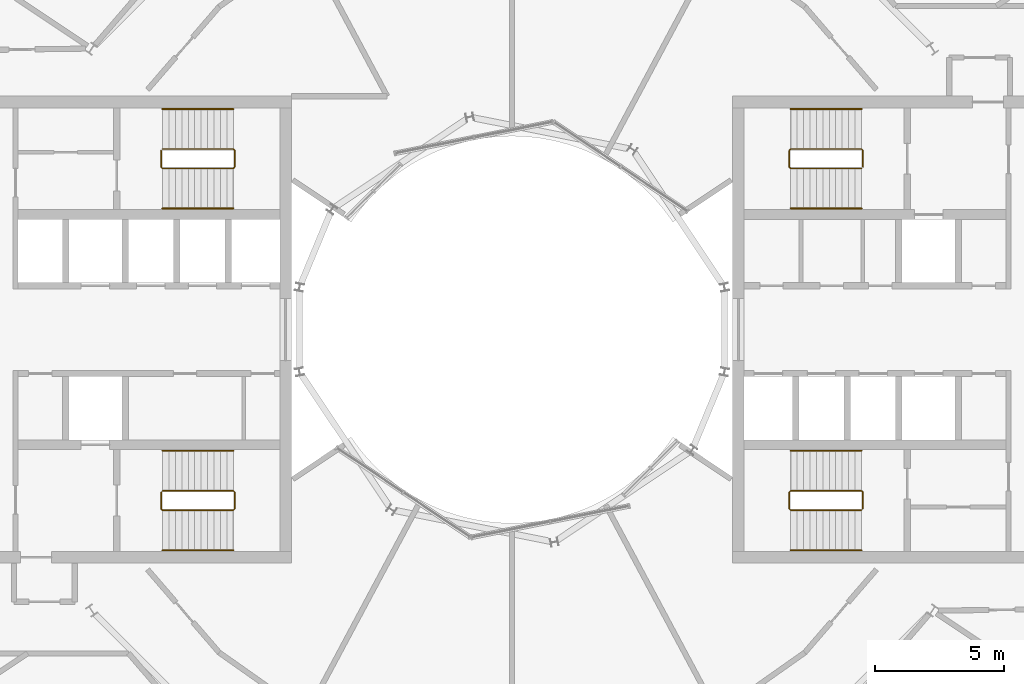
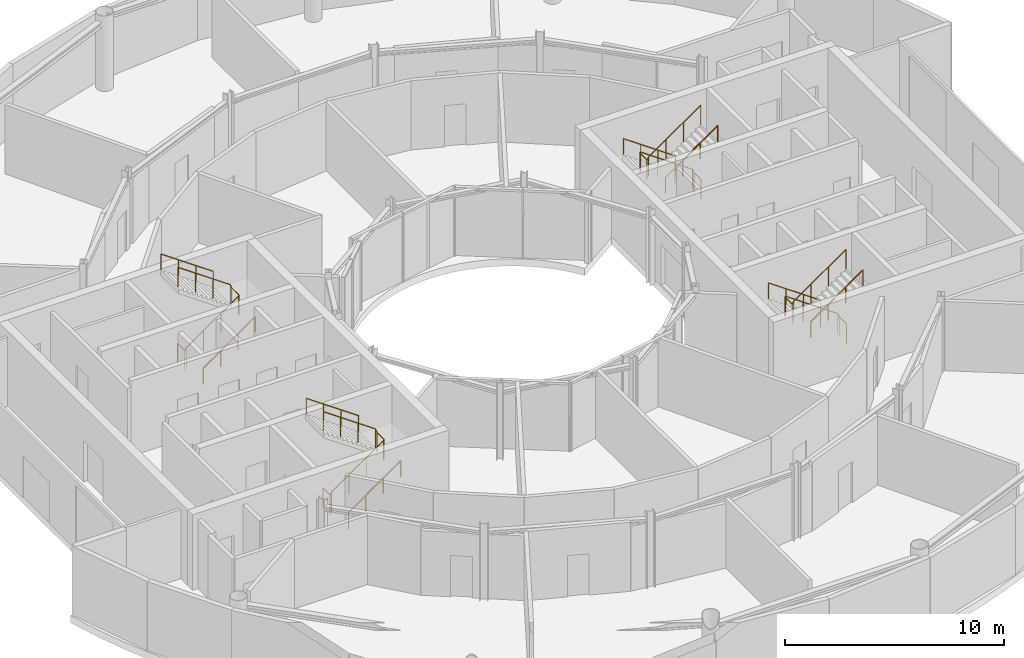
# One storey, part 19 of 19: 12 railings.
"""IFC4 building model written with IfcOpenShell, lengths in metres."""

from ifc_helpers import new_model, si_unit, direction, frame, origin, origin_2d, place, context, subcontext, project, spatial, circle, extrude, material, type_object, element, save


model = new_model("IFC4")

# Units and contexts
model_context = context("Model", 3, precision=1e-05, world=origin(), true_north=direction((0.0, 1.0)))
body_context = subcontext(model_context, "Body", "Model", "MODEL_VIEW")
ifc_project = project(units=[si_unit("LENGTHUNIT", "METRE"), si_unit("AREAUNIT", "SQUARE_METRE"), si_unit("VOLUMEUNIT", "CUBIC_METRE"), si_unit("PLANEANGLEUNIT", "RADIAN"), si_unit("MASSUNIT", "GRAM", prefix="KILO")], contexts=[model_context])

# Site, building, storey
site_placement = place(None, origin())
site = spatial("IfcSite", under=ifc_project, at=site_placement, CompositionType="ELEMENT")
building_placement = place(site_placement, origin())
building = spatial("IfcBuilding", under=site, at=building_placement, Name="Maasbend Ring Residences", CompositionType="ELEMENT")
storey_placement = place(building_placement, frame((0.0, 0.0, 186.0)))
storey = spatial("IfcBuildingStorey", under=building, at=storey_placement, Name="L53", CompositionType="ELEMENT", Elevation=186.0)

# Railings
ifc_material_1 = material(Name="Stainless steel 316", Category="steel")
railing_type_1 = type_object("IfcRailingType", Name="STAIR GUARD 1100", PredefinedType="GUARDRAIL", material=ifc_material_1)
railing_1_placement = place(storey_placement, frame((13.60009765625, 6.300048828125, 0.0)))
element("IfcRailing", 1, at=railing_1_placement, inside=storey, type_object=railing_type_1, Name="L53 ST-E1 stair guard 1", PredefinedType="GUARDRAIL", context=body_context, shape_type="SweptSolid", body=[
    extrude(circle(Radius=0.02392578125, at=origin_2d()), frame((0.0, 0.0, 1.076171875), z_axis=(0.0, 1.0, 0.0), x_axis=(-1.0, 0.0, 0.0)), (0.0, 0.0, 1.0), 0.64990234375),
    extrude(circle(Radius=0.02392578125, at=origin_2d()), frame((0.0, 0.64990234375, 1.076171875), z_axis=(-0.265065253269, 0.265065253269, 0.927081885822), x_axis=(-0.707106781187, -0.707106781187, 0.0)), (0.0, 0.0, 1.0), 0.188720703125),
    extrude(circle(Radius=0.02392578125, at=origin_2d()), frame((-0.050048828125, 0.699951171875, 1.2509765625), z_axis=(-0.819225086817, 0.0, 0.573472106672), x_axis=(0.0, -1.0, 0.0)), (0.0, 0.0, 1.0), 3.35693359375),
    extrude(circle(Radius=0.02392578125, at=origin_2d()), frame((-2.800048828125, 0.699951171875, 3.17626953125), z_axis=(-0.707106781187, -0.707106781187, 0.0), x_axis=(0.707106781187, -0.707106781187, 0.0)), (0.0, 0.0, 1.0), 0.07080078125),
    extrude(circle(Radius=0.02392578125, at=origin_2d()), frame((-2.85009765625, 0.64990234375, 3.17626953125), z_axis=(0.0, -1.0, 0.0), x_axis=(1.0, 0.0, 0.0)), (0.0, 0.0, 1.0), 0.64990234375),
    extrude(circle(Radius=0.02392578125, at=origin_2d()), frame((-2.85009765625, 0.0, 3.17626953125), z_axis=(0.265383341853, -0.265383341853, 0.926899867156), x_axis=(0.707106781187, 0.707106781187, 0.0)), (0.0, 0.0, 1.0), 0.1884765625),
    extrude(circle(Radius=0.02392578125, at=origin_2d()), frame((-2.800048828125, -0.050048828125, 3.35107421875), z_axis=(0.819225086817, 0.0, 0.573472106672), x_axis=(0.0, 1.0, 0.0)), (0.0, 0.0, 1.0), 3.35693359375),
    extrude(circle(Radius=0.02099609375, at=origin_2d()), origin(), (0.0, 0.0, 1.0), 1.052001953125),
    extrude(circle(Radius=0.02099609375, at=origin_2d()), frame((0.0, 0.64990234375, 0.0)), (0.0, 0.0, 1.0), 1.052001953125),
    extrude(circle(Radius=0.02099609375, at=origin_2d()), frame((-0.050048828125, 0.699951171875, 0.175048828125)), (0.0, 0.0, 1.0), 1.052001953125),
    extrude(circle(Radius=0.02099609375, at=origin_2d()), frame((-0.966796875, 0.699951171875, 0.816650390625)), (0.0, 0.0, 1.0), 1.052001953125),
    extrude(circle(Radius=0.02099609375, at=origin_2d()), frame((-1.88330078125, 0.699951171875, 1.45849609375)), (0.0, 0.0, 1.0), 1.052001953125),
    extrude(circle(Radius=0.02099609375, at=origin_2d()), frame((-2.800048828125, 0.699951171875, 2.10009765625)), (0.0, 0.0, 1.0), 1.052001953125),
    extrude(circle(Radius=0.02099609375, at=origin_2d()), frame((-2.85009765625, 0.64990234375, 2.10009765625)), (0.0, 0.0, 1.0), 1.052001953125),
    extrude(circle(Radius=0.02099609375, at=origin_2d()), frame((-2.85009765625, 0.0, 2.10009765625)), (0.0, 0.0, 1.0), 1.052001953125),
    extrude(circle(Radius=0.02099609375, at=origin_2d()), frame((-2.800048828125, -0.050048828125, 2.27490234375)), (0.0, 0.0, 1.0), 1.052001953125),
    extrude(circle(Radius=0.02099609375, at=origin_2d()), frame((-1.88330078125, -0.050048828125, 2.91650390625)), (0.0, 0.0, 1.0), 1.052001953125),
    extrude(circle(Radius=0.02099609375, at=origin_2d()), frame((-0.966796875, -0.050048828125, 3.558349609375)), (0.0, 0.0, 1.0), 1.052001953125),
    extrude(circle(Radius=0.02099609375, at=origin_2d()), frame((-0.050048828125, -0.050048828125, 4.199951171875)), (0.0, 0.0, 1.0), 1.052001953125),
])
railing_2_placement = place(storey_placement, frame((13.60009765625, -6.949951171875, 0.0)))
element("IfcRailing", 2, at=railing_2_placement, inside=storey, type_object=railing_type_1, Name="L53 ST-E2 stair guard 1", PredefinedType="GUARDRAIL", context=body_context, shape_type="SweptSolid", body=[
    extrude(circle(Radius=0.02392578125, at=origin_2d()), frame((0.0, 0.0, 1.076171875), z_axis=(0.0, 1.0, 0.0), x_axis=(-1.0, 0.0, 0.0)), (0.0, 0.0, 1.0), 0.64990234375),
    extrude(circle(Radius=0.02392578125, at=origin_2d()), frame((0.0, 0.64990234375, 1.076171875), z_axis=(-0.265065253269, 0.265065253269, 0.927081885822), x_axis=(-0.707106781187, -0.707106781187, 0.0)), (0.0, 0.0, 1.0), 0.188720703125),
    extrude(circle(Radius=0.02392578125, at=origin_2d()), frame((-0.050048828125, 0.699951171875, 1.2509765625), z_axis=(-0.819225086817, 0.0, 0.573472106672), x_axis=(0.0, -1.0, 0.0)), (0.0, 0.0, 1.0), 3.35693359375),
    extrude(circle(Radius=0.02392578125, at=origin_2d()), frame((-2.800048828125, 0.699951171875, 3.17626953125), z_axis=(-0.707106781187, -0.707106781187, 0.0), x_axis=(0.707106781187, -0.707106781187, 0.0)), (0.0, 0.0, 1.0), 0.07080078125),
    extrude(circle(Radius=0.02392578125, at=origin_2d()), frame((-2.85009765625, 0.64990234375, 3.17626953125), z_axis=(0.0, -1.0, 0.0), x_axis=(1.0, 0.0, 0.0)), (0.0, 0.0, 1.0), 0.64990234375),
    extrude(circle(Radius=0.02392578125, at=origin_2d()), frame((-2.85009765625, 0.0, 3.17626953125), z_axis=(0.265383341853, -0.265383341853, 0.926899867156), x_axis=(0.707106781187, 0.707106781187, 0.0)), (0.0, 0.0, 1.0), 0.1884765625),
    extrude(circle(Radius=0.02392578125, at=origin_2d()), frame((-2.800048828125, -0.050048828125, 3.35107421875), z_axis=(0.819225086817, 0.0, 0.573472106672), x_axis=(0.0, 1.0, 0.0)), (0.0, 0.0, 1.0), 3.35693359375),
    extrude(circle(Radius=0.02099609375, at=origin_2d()), origin(), (0.0, 0.0, 1.0), 1.052001953125),
    extrude(circle(Radius=0.02099609375, at=origin_2d()), frame((0.0, 0.64990234375, 0.0)), (0.0, 0.0, 1.0), 1.052001953125),
    extrude(circle(Radius=0.02099609375, at=origin_2d()), frame((-0.050048828125, 0.699951171875, 0.175048828125)), (0.0, 0.0, 1.0), 1.052001953125),
    extrude(circle(Radius=0.02099609375, at=origin_2d()), frame((-0.966796875, 0.699951171875, 0.816650390625)), (0.0, 0.0, 1.0), 1.052001953125),
    extrude(circle(Radius=0.02099609375, at=origin_2d()), frame((-1.88330078125, 0.699951171875, 1.45849609375)), (0.0, 0.0, 1.0), 1.052001953125),
    extrude(circle(Radius=0.02099609375, at=origin_2d()), frame((-2.800048828125, 0.699951171875, 2.10009765625)), (0.0, 0.0, 1.0), 1.052001953125),
    extrude(circle(Radius=0.02099609375, at=origin_2d()), frame((-2.85009765625, 0.64990234375, 2.10009765625)), (0.0, 0.0, 1.0), 1.052001953125),
    extrude(circle(Radius=0.02099609375, at=origin_2d()), frame((-2.85009765625, 0.0, 2.10009765625)), (0.0, 0.0, 1.0), 1.052001953125),
    extrude(circle(Radius=0.02099609375, at=origin_2d()), frame((-2.800048828125, -0.050048828125, 2.27490234375)), (0.0, 0.0, 1.0), 1.052001953125),
    extrude(circle(Radius=0.02099609375, at=origin_2d()), frame((-1.88330078125, -0.050048828125, 2.91650390625)), (0.0, 0.0, 1.0), 1.052001953125),
    extrude(circle(Radius=0.02099609375, at=origin_2d()), frame((-0.966796875, -0.050048828125, 3.558349609375)), (0.0, 0.0, 1.0), 1.052001953125),
    extrude(circle(Radius=0.02099609375, at=origin_2d()), frame((-0.050048828125, -0.050048828125, 4.199951171875)), (0.0, 0.0, 1.0), 1.052001953125),
])
railing_3_placement = place(storey_placement, frame((-13.60009765625, -6.300048828125, 0.0)))
element("IfcRailing", 3, at=railing_3_placement, inside=storey, type_object=railing_type_1, Name="L53 ST-W1 stair guard 1", PredefinedType="GUARDRAIL", context=body_context, shape_type="SweptSolid", body=[
    extrude(circle(Radius=0.02392578125, at=origin_2d()), frame((0.0, 0.0, 1.076171875), z_axis=(0.0, -1.0, 0.0), x_axis=(1.0, 0.0, 0.0)), (0.0, 0.0, 1.0), 0.64990234375),
    extrude(circle(Radius=0.02392578125, at=origin_2d()), frame((0.0, -0.64990234375, 1.076171875), z_axis=(0.265065253269, -0.265065253269, 0.927081885822), x_axis=(0.707106781187, 0.707106781187, 0.0)), (0.0, 0.0, 1.0), 0.188720703125),
    extrude(circle(Radius=0.02392578125, at=origin_2d()), frame((0.050048828125, -0.699951171875, 1.2509765625), z_axis=(0.819225086817, 0.0, 0.573472106672), x_axis=(0.0, 1.0, 0.0)), (0.0, 0.0, 1.0), 3.35693359375),
    extrude(circle(Radius=0.02392578125, at=origin_2d()), frame((2.800048828125, -0.699951171875, 3.17626953125), z_axis=(0.707106781187, 0.707106781187, 0.0), x_axis=(-0.707106781187, 0.707106781187, 0.0)), (0.0, 0.0, 1.0), 0.07080078125),
    extrude(circle(Radius=0.02392578125, at=origin_2d()), frame((2.85009765625, -0.64990234375, 3.17626953125), z_axis=(0.0, 1.0, 0.0), x_axis=(-1.0, 0.0, 0.0)), (0.0, 0.0, 1.0), 0.64990234375),
    extrude(circle(Radius=0.02392578125, at=origin_2d()), frame((2.85009765625, 0.0, 3.17626953125), z_axis=(-0.265383341853, 0.265383341853, 0.926899867156), x_axis=(-0.707106781187, -0.707106781187, 0.0)), (0.0, 0.0, 1.0), 0.1884765625),
    extrude(circle(Radius=0.02392578125, at=origin_2d()), frame((2.800048828125, 0.050048828125, 3.35107421875), z_axis=(-0.819225086817, 0.0, 0.573472106672), x_axis=(0.0, -1.0, 0.0)), (0.0, 0.0, 1.0), 3.35693359375),
    extrude(circle(Radius=0.02099609375, at=origin_2d()), origin(), (0.0, 0.0, 1.0), 1.052001953125),
    extrude(circle(Radius=0.02099609375, at=origin_2d()), frame((0.0, -0.64990234375, 0.0)), (0.0, 0.0, 1.0), 1.052001953125),
    extrude(circle(Radius=0.02099609375, at=origin_2d()), frame((0.050048828125, -0.699951171875, 0.175048828125)), (0.0, 0.0, 1.0), 1.052001953125),
    extrude(circle(Radius=0.02099609375, at=origin_2d()), frame((0.966796875, -0.699951171875, 0.816650390625)), (0.0, 0.0, 1.0), 1.052001953125),
    extrude(circle(Radius=0.02099609375, at=origin_2d()), frame((1.88330078125, -0.699951171875, 1.45849609375)), (0.0, 0.0, 1.0), 1.052001953125),
    extrude(circle(Radius=0.02099609375, at=origin_2d()), frame((2.800048828125, -0.699951171875, 2.10009765625)), (0.0, 0.0, 1.0), 1.052001953125),
    extrude(circle(Radius=0.02099609375, at=origin_2d()), frame((2.85009765625, -0.64990234375, 2.10009765625)), (0.0, 0.0, 1.0), 1.052001953125),
    extrude(circle(Radius=0.02099609375, at=origin_2d()), frame((2.85009765625, 0.0, 2.10009765625)), (0.0, 0.0, 1.0), 1.052001953125),
    extrude(circle(Radius=0.02099609375, at=origin_2d()), frame((2.800048828125, 0.050048828125, 2.27490234375)), (0.0, 0.0, 1.0), 1.052001953125),
    extrude(circle(Radius=0.02099609375, at=origin_2d()), frame((1.88330078125, 0.050048828125, 2.91650390625)), (0.0, 0.0, 1.0), 1.052001953125),
    extrude(circle(Radius=0.02099609375, at=origin_2d()), frame((0.966796875, 0.050048828125, 3.558349609375)), (0.0, 0.0, 1.0), 1.052001953125),
    extrude(circle(Radius=0.02099609375, at=origin_2d()), frame((0.050048828125, 0.050048828125, 4.199951171875)), (0.0, 0.0, 1.0), 1.052001953125),
])
railing_4_placement = place(storey_placement, frame((-13.60009765625, 6.949951171875, 0.0)))
element("IfcRailing", 4, at=railing_4_placement, inside=storey, type_object=railing_type_1, Name="L53 ST-W2 stair guard 1", PredefinedType="GUARDRAIL", context=body_context, shape_type="SweptSolid", body=[
    extrude(circle(Radius=0.02392578125, at=origin_2d()), frame((0.0, 0.0, 1.076171875), z_axis=(0.0, -1.0, 0.0), x_axis=(1.0, 0.0, 0.0)), (0.0, 0.0, 1.0), 0.64990234375),
    extrude(circle(Radius=0.02392578125, at=origin_2d()), frame((0.0, -0.64990234375, 1.076171875), z_axis=(0.265065253269, -0.265065253269, 0.927081885822), x_axis=(0.707106781187, 0.707106781187, 0.0)), (0.0, 0.0, 1.0), 0.188720703125),
    extrude(circle(Radius=0.02392578125, at=origin_2d()), frame((0.050048828125, -0.699951171875, 1.2509765625), z_axis=(0.819225086817, 0.0, 0.573472106672), x_axis=(0.0, 1.0, 0.0)), (0.0, 0.0, 1.0), 3.35693359375),
    extrude(circle(Radius=0.02392578125, at=origin_2d()), frame((2.800048828125, -0.699951171875, 3.17626953125), z_axis=(0.707106781187, 0.707106781187, 0.0), x_axis=(-0.707106781187, 0.707106781187, 0.0)), (0.0, 0.0, 1.0), 0.07080078125),
    extrude(circle(Radius=0.02392578125, at=origin_2d()), frame((2.85009765625, -0.64990234375, 3.17626953125), z_axis=(0.0, 1.0, 0.0), x_axis=(-1.0, 0.0, 0.0)), (0.0, 0.0, 1.0), 0.64990234375),
    extrude(circle(Radius=0.02392578125, at=origin_2d()), frame((2.85009765625, 0.0, 3.17626953125), z_axis=(-0.265383341853, 0.265383341853, 0.926899867156), x_axis=(-0.707106781187, -0.707106781187, 0.0)), (0.0, 0.0, 1.0), 0.1884765625),
    extrude(circle(Radius=0.02392578125, at=origin_2d()), frame((2.800048828125, 0.050048828125, 3.35107421875), z_axis=(-0.819225086817, 0.0, 0.573472106672), x_axis=(0.0, -1.0, 0.0)), (0.0, 0.0, 1.0), 3.35693359375),
    extrude(circle(Radius=0.02099609375, at=origin_2d()), origin(), (0.0, 0.0, 1.0), 1.052001953125),
    extrude(circle(Radius=0.02099609375, at=origin_2d()), frame((0.0, -0.64990234375, 0.0)), (0.0, 0.0, 1.0), 1.052001953125),
    extrude(circle(Radius=0.02099609375, at=origin_2d()), frame((0.050048828125, -0.699951171875, 0.175048828125)), (0.0, 0.0, 1.0), 1.052001953125),
    extrude(circle(Radius=0.02099609375, at=origin_2d()), frame((0.966796875, -0.699951171875, 0.816650390625)), (0.0, 0.0, 1.0), 1.052001953125),
    extrude(circle(Radius=0.02099609375, at=origin_2d()), frame((1.88330078125, -0.699951171875, 1.45849609375)), (0.0, 0.0, 1.0), 1.052001953125),
    extrude(circle(Radius=0.02099609375, at=origin_2d()), frame((2.800048828125, -0.699951171875, 2.10009765625)), (0.0, 0.0, 1.0), 1.052001953125),
    extrude(circle(Radius=0.02099609375, at=origin_2d()), frame((2.85009765625, -0.64990234375, 2.10009765625)), (0.0, 0.0, 1.0), 1.052001953125),
    extrude(circle(Radius=0.02099609375, at=origin_2d()), frame((2.85009765625, 0.0, 2.10009765625)), (0.0, 0.0, 1.0), 1.052001953125),
    extrude(circle(Radius=0.02099609375, at=origin_2d()), frame((2.800048828125, 0.050048828125, 2.27490234375)), (0.0, 0.0, 1.0), 1.052001953125),
    extrude(circle(Radius=0.02099609375, at=origin_2d()), frame((1.88330078125, 0.050048828125, 2.91650390625)), (0.0, 0.0, 1.0), 1.052001953125),
    extrude(circle(Radius=0.02099609375, at=origin_2d()), frame((0.966796875, 0.050048828125, 3.558349609375)), (0.0, 0.0, 1.0), 1.052001953125),
    extrude(circle(Radius=0.02099609375, at=origin_2d()), frame((0.050048828125, 0.050048828125, 4.199951171875)), (0.0, 0.0, 1.0), 1.052001953125),
])
ifc_material_2 = material(Name="Stainless steel 316", Category="steel")
railing_type_2 = type_object("IfcRailingType", Name="STAIR HANDRAIL 900", PredefinedType="HANDRAIL", material=ifc_material_2)
railing_5_placement = place(storey_placement, frame((13.550048828125, 8.550048828125, 0.175048828125)))
element("IfcRailing", 5, at=railing_5_placement, inside=storey, type_object=railing_type_2, Name="L53 ST-E1 stair handrail 1", PredefinedType="HANDRAIL", context=body_context, shape_type="SweptSolid", body=[
    extrude(circle(Radius=0.02392578125, at=origin_2d()), frame((0.0, 0.0, 0.8759765625), z_axis=(-0.819225086817, 0.0, 0.573472106672), x_axis=(0.0, -1.0, 0.0)), (0.0, 0.0, 1.0), 3.35693359375),
    extrude(circle(Radius=0.02099609375, at=origin_2d()), origin(), (0.0, 0.0, 1.0), 0.851806640625),
    extrude(circle(Radius=0.02099609375, at=origin_2d()), frame((-0.916748046875, 0.0, 0.6416015625)), (0.0, 0.0, 1.0), 0.851806640625),
    extrude(circle(Radius=0.02099609375, at=origin_2d()), frame((-1.833251953125, 0.0, 1.283447265625)), (0.0, 0.0, 1.0), 0.851806640625),
    extrude(circle(Radius=0.02099609375, at=origin_2d()), frame((-2.75, 0.0, 1.925048828125)), (0.0, 0.0, 1.0), 0.851806640625),
])
railing_6_placement = place(storey_placement, frame((10.800048828125, 4.699951171875, 2.27490234375)))
element("IfcRailing", 6, at=railing_6_placement, inside=storey, type_object=railing_type_2, Name="L53 ST-E1 stair handrail 2", PredefinedType="HANDRAIL", context=body_context, shape_type="SweptSolid", body=[
    extrude(circle(Radius=0.02392578125, at=origin_2d()), frame((0.0, 0.0, 0.8759765625), z_axis=(0.819225086817, 0.0, 0.573472106672), x_axis=(0.0, 1.0, 0.0)), (0.0, 0.0, 1.0), 3.35693359375),
    extrude(circle(Radius=0.02099609375, at=origin_2d()), origin(), (0.0, 0.0, 1.0), 0.851806640625),
    extrude(circle(Radius=0.02099609375, at=origin_2d()), frame((0.916748046875, 0.0, 0.6416015625)), (0.0, 0.0, 1.0), 0.851806640625),
    extrude(circle(Radius=0.02099609375, at=origin_2d()), frame((1.833251953125, 0.0, 1.283447265625)), (0.0, 0.0, 1.0), 0.851806640625),
    extrude(circle(Radius=0.02099609375, at=origin_2d()), frame((2.75, 0.0, 1.925048828125)), (0.0, 0.0, 1.0), 0.851806640625),
])
railing_7_placement = place(storey_placement, frame((13.550048828125, -4.699951171875, 0.175048828125)))
element("IfcRailing", 7, at=railing_7_placement, inside=storey, type_object=railing_type_2, Name="L53 ST-E2 stair handrail 1", PredefinedType="HANDRAIL", context=body_context, shape_type="SweptSolid", body=[
    extrude(circle(Radius=0.02392578125, at=origin_2d()), frame((0.0, 0.0, 0.8759765625), z_axis=(-0.819225086817, 0.0, 0.573472106672), x_axis=(0.0, -1.0, 0.0)), (0.0, 0.0, 1.0), 3.35693359375),
    extrude(circle(Radius=0.02099609375, at=origin_2d()), origin(), (0.0, 0.0, 1.0), 0.851806640625),
    extrude(circle(Radius=0.02099609375, at=origin_2d()), frame((-0.916748046875, 0.0, 0.6416015625)), (0.0, 0.0, 1.0), 0.851806640625),
    extrude(circle(Radius=0.02099609375, at=origin_2d()), frame((-1.833251953125, 0.0, 1.283447265625)), (0.0, 0.0, 1.0), 0.851806640625),
    extrude(circle(Radius=0.02099609375, at=origin_2d()), frame((-2.75, 0.0, 1.925048828125)), (0.0, 0.0, 1.0), 0.851806640625),
])
for number, where, name in (
    (8, (10.800048828125, -8.550048828125, 2.27490234375), "L53 ST-E2 stair handrail 2"),
    (9, (-13.550048828125, -8.550048828125, 0.175048828125), "L53 ST-W1 stair handrail 1"),
):
    element("IfcRailing", number, at=place(storey_placement, frame(where)), inside=storey, type_object=railing_type_2, Name=name, PredefinedType="HANDRAIL", context=body_context, shape_type="SweptSolid", body=[
        extrude(circle(Radius=0.02392578125, at=origin_2d()), frame((0.0, 0.0, 0.8759765625), z_axis=(0.819225086817, 0.0, 0.573472106672), x_axis=(0.0, 1.0, 0.0)), (0.0, 0.0, 1.0), 3.35693359375),
        extrude(circle(Radius=0.02099609375, at=origin_2d()), origin(), (0.0, 0.0, 1.0), 0.851806640625),
        extrude(circle(Radius=0.02099609375, at=origin_2d()), frame((0.916748046875, 0.0, 0.6416015625)), (0.0, 0.0, 1.0), 0.851806640625),
        extrude(circle(Radius=0.02099609375, at=origin_2d()), frame((1.833251953125, 0.0, 1.283447265625)), (0.0, 0.0, 1.0), 0.851806640625),
        extrude(circle(Radius=0.02099609375, at=origin_2d()), frame((2.75, 0.0, 1.925048828125)), (0.0, 0.0, 1.0), 0.851806640625),
    ])
railing_8_placement = place(storey_placement, frame((-10.800048828125, -4.699951171875, 2.27490234375)))
element("IfcRailing", 10, at=railing_8_placement, inside=storey, type_object=railing_type_2, Name="L53 ST-W1 stair handrail 2", PredefinedType="HANDRAIL", context=body_context, shape_type="SweptSolid", body=[
    extrude(circle(Radius=0.02392578125, at=origin_2d()), frame((0.0, 0.0, 0.8759765625), z_axis=(-0.819225086817, 0.0, 0.573472106672), x_axis=(0.0, -1.0, 0.0)), (0.0, 0.0, 1.0), 3.35693359375),
    extrude(circle(Radius=0.02099609375, at=origin_2d()), origin(), (0.0, 0.0, 1.0), 0.851806640625),
    extrude(circle(Radius=0.02099609375, at=origin_2d()), frame((-0.916748046875, 0.0, 0.6416015625)), (0.0, 0.0, 1.0), 0.851806640625),
    extrude(circle(Radius=0.02099609375, at=origin_2d()), frame((-1.833251953125, 0.0, 1.283447265625)), (0.0, 0.0, 1.0), 0.851806640625),
    extrude(circle(Radius=0.02099609375, at=origin_2d()), frame((-2.75, 0.0, 1.925048828125)), (0.0, 0.0, 1.0), 0.851806640625),
])
railing_9_placement = place(storey_placement, frame((-13.550048828125, 4.699951171875, 0.175048828125)))
element("IfcRailing", 11, at=railing_9_placement, inside=storey, type_object=railing_type_2, Name="L53 ST-W2 stair handrail 1", PredefinedType="HANDRAIL", context=body_context, shape_type="SweptSolid", body=[
    extrude(circle(Radius=0.02392578125, at=origin_2d()), frame((0.0, 0.0, 0.8759765625), z_axis=(0.819225086817, 0.0, 0.573472106672), x_axis=(0.0, 1.0, 0.0)), (0.0, 0.0, 1.0), 3.35693359375),
    extrude(circle(Radius=0.02099609375, at=origin_2d()), origin(), (0.0, 0.0, 1.0), 0.851806640625),
    extrude(circle(Radius=0.02099609375, at=origin_2d()), frame((0.916748046875, 0.0, 0.6416015625)), (0.0, 0.0, 1.0), 0.851806640625),
    extrude(circle(Radius=0.02099609375, at=origin_2d()), frame((1.833251953125, 0.0, 1.283447265625)), (0.0, 0.0, 1.0), 0.851806640625),
    extrude(circle(Radius=0.02099609375, at=origin_2d()), frame((2.75, 0.0, 1.925048828125)), (0.0, 0.0, 1.0), 0.851806640625),
])
railing_10_placement = place(storey_placement, frame((-10.800048828125, 8.550048828125, 2.27490234375)))
element("IfcRailing", 12, at=railing_10_placement, inside=storey, type_object=railing_type_2, Name="L53 ST-W2 stair handrail 2", PredefinedType="HANDRAIL", context=body_context, shape_type="SweptSolid", body=[
    extrude(circle(Radius=0.02392578125, at=origin_2d()), frame((0.0, 0.0, 0.8759765625), z_axis=(-0.819225086817, 0.0, 0.573472106672), x_axis=(0.0, -1.0, 0.0)), (0.0, 0.0, 1.0), 3.35693359375),
    extrude(circle(Radius=0.02099609375, at=origin_2d()), origin(), (0.0, 0.0, 1.0), 0.851806640625),
    extrude(circle(Radius=0.02099609375, at=origin_2d()), frame((-0.916748046875, 0.0, 0.6416015625)), (0.0, 0.0, 1.0), 0.851806640625),
    extrude(circle(Radius=0.02099609375, at=origin_2d()), frame((-1.833251953125, 0.0, 1.283447265625)), (0.0, 0.0, 1.0), 0.851806640625),
    extrude(circle(Radius=0.02099609375, at=origin_2d()), frame((-2.75, 0.0, 1.925048828125)), (0.0, 0.0, 1.0), 0.851806640625),
])

save(model, "model.ifc")
